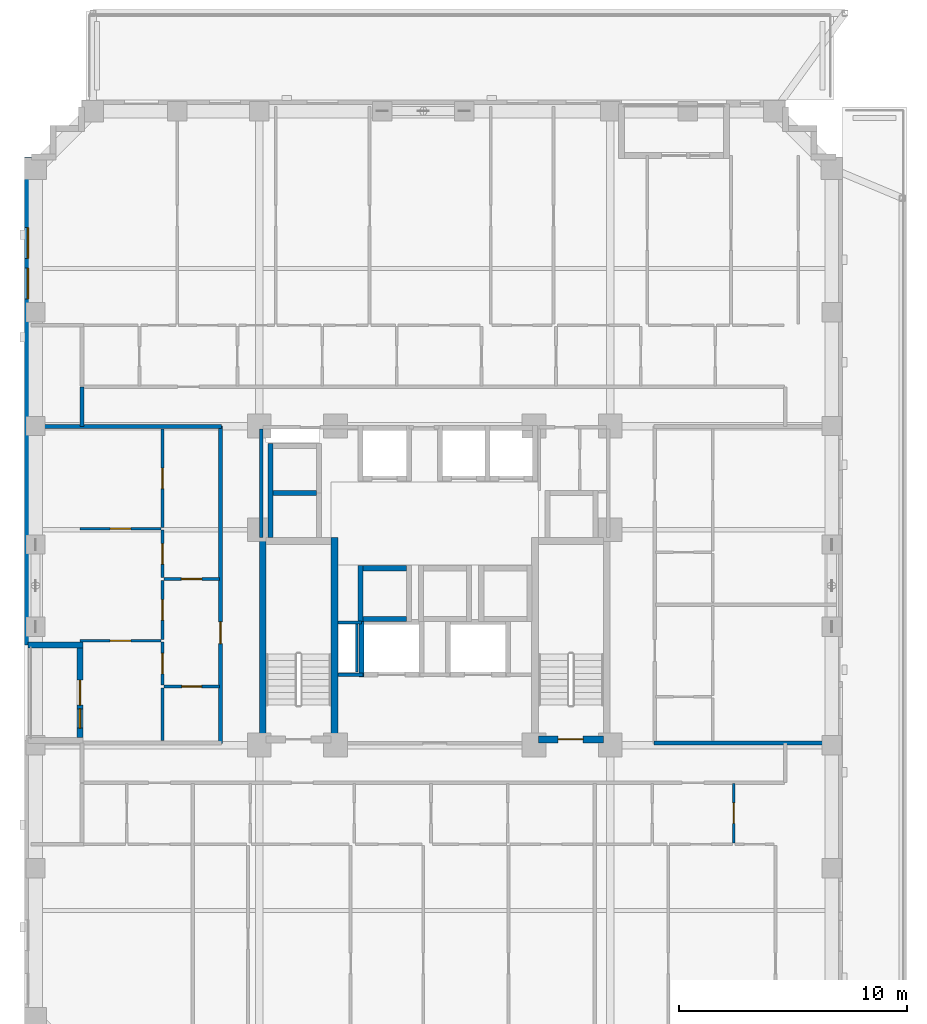
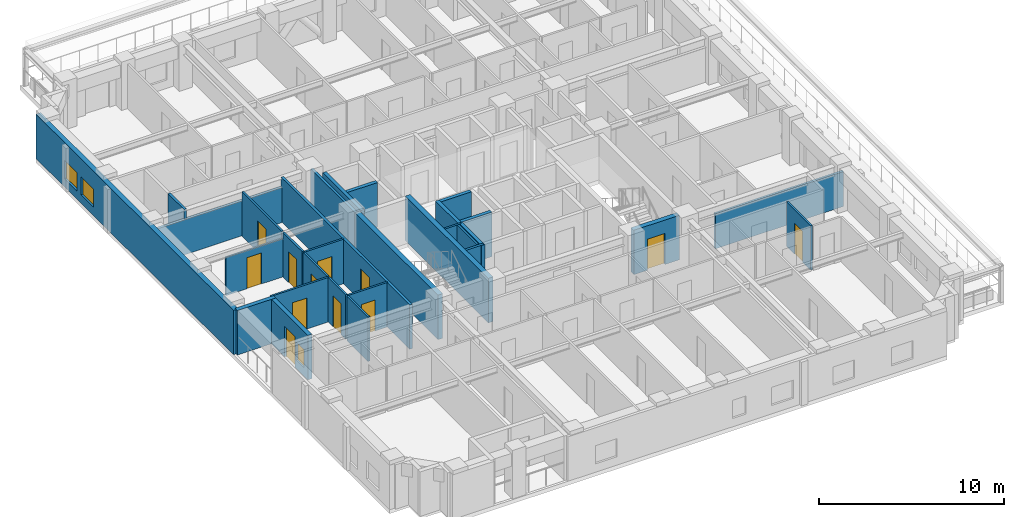
# One storey, part 8 of 16: 30 walls, 12 doors, 3 windows, 15 openings.
"""IFC4 building model written with IfcOpenShell, lengths in metres."""

import ifcopenshell
import ifcopenshell.guid

model = None  # the IFC model being written
_history = None  # IfcOwnerHistory: only IFC2X3 demands one
_inside = {}  # id of a spatial element -> (the spatial element, [elements in it])
_under = {}  # id of a project, library or spatial element -> (it, [spatial elements below it])
_declared = {}  # id of a project -> (the project, [libraries it declares])
_typed = {}  # id of a type object -> (the type object, [elements of that type])
_made_of = {}  # id of a material, layer set ... -> (it, [elements and type objects made of it])


def new_model(schema):
    """Start an empty IFC model of exactly this schema.

    Asked for "IFC4X3", IfcOpenShell would pick the latest addendum, in which some entities
    have other attributes; the version numbers below select the first issue.
    IFC2X3 requires an IfcOwnerHistory on every rooted entity: one is made here for all.
    """
    global model, _history
    if schema == "IFC4X3":
        model = ifcopenshell.file(schema_version=(4, 3, 0, 0))
    else:
        model = ifcopenshell.file(schema=schema)
    _inside.clear()
    _under.clear()
    _declared.clear()
    _typed.clear()
    _made_of.clear()
    _history = None
    if model.schema == "IFC2X3":
        org = make("IfcOrganization", Name="unknown")
        user = make(
            "IfcPersonAndOrganization",
            ThePerson=make("IfcPerson", FamilyName="unknown"),
            TheOrganization=org,
        )
        app = make(
            "IfcApplication",
            ApplicationDeveloper=org,
            Version="unknown",
            ApplicationFullName="unknown",
            ApplicationIdentifier="unknown",
        )
        _history = make(
            "IfcOwnerHistory",
            OwningUser=user,
            OwningApplication=app,
            ChangeAction="ADDED",
            CreationDate=0,
        )
    return model


def make(cls, **values):
    """One entity of the class cls with the attributes given. An attribute that is None is left unset."""
    return model.create_entity(
        cls, **{name: value for name, value in values.items() if value is not None}
    )


def rooted(cls, **values):
    """An entity with a GlobalId (a new one), such as an element, a storey or a relation."""
    return make(cls, GlobalId=ifcopenshell.guid.new(), OwnerHistory=_history, **values)


def si_unit(unit_type, name, prefix=None):
    """IfcSIUnit, for example si_unit("LENGTHUNIT", "METRE", prefix="MILLI")."""
    return make("IfcSIUnit", UnitType=unit_type, Prefix=prefix, Name=name)


def derived_unit(unit_type, elements):
    """IfcDerivedUnit: a product of units, each with its exponent."""
    return make(
        "IfcDerivedUnit",
        Elements=[
            make("IfcDerivedUnitElement", Unit=unit, Exponent=power)
            for unit, power in elements
        ],
        UnitType=unit_type,
    )


def assignment(units):
    """IfcUnitAssignment: the units of a project."""
    return None if units is None else make("IfcUnitAssignment", Units=units)


def point(xyz):
    """IfcCartesianPoint."""
    return None if xyz is None else make("IfcCartesianPoint", Coordinates=xyz)


def direction(xyz):
    """IfcDirection."""
    return None if xyz is None else make("IfcDirection", DirectionRatios=xyz)


def frame(location, z_axis=None, x_axis=None):
    """IfcAxis2Placement3D, a coordinate frame: its origin and axes. An axis left out is left unset."""
    return make(
        "IfcAxis2Placement3D",
        Location=point(location),
        Axis=direction(z_axis),
        RefDirection=direction(x_axis),
    )


def frame_2d(location, x_axis=None):
    """IfcAxis2Placement2D, a coordinate frame in the plane: its origin and x axis."""
    return make(
        "IfcAxis2Placement2D", Location=point(location), RefDirection=direction(x_axis)
    )


def origin():
    """The frame at (0, 0, 0) with its axes left unset."""
    return frame((0.0, 0.0, 0.0))


def place(relative_to, where):
    """IfcLocalPlacement: puts the frame where relative to a parent placement (None: the world)."""
    return make(
        "IfcLocalPlacement", PlacementRelTo=relative_to, RelativePlacement=where
    )


def context(
    kind, dimensions, precision=None, world=None, true_north=None, identifier=None
):
    """IfcGeometricRepresentationContext, for example the 3D "Model" context."""
    return make(
        "IfcGeometricRepresentationContext",
        ContextIdentifier=identifier,
        ContextType=kind,
        CoordinateSpaceDimension=dimensions,
        Precision=precision,
        WorldCoordinateSystem=world,
        TrueNorth=true_north,
    )


def subcontext(parent, identifier, kind, view, scale=None):
    """IfcGeometricRepresentationSubContext, for example "Body" below "Model"."""
    return make(
        "IfcGeometricRepresentationSubContext",
        ContextIdentifier=identifier,
        ContextType=kind,
        ParentContext=parent,
        TargetScale=scale,
        TargetView=view,
    )


def project(units=None, contexts=None):
    """IfcProject with its units and contexts."""
    return rooted(
        "IfcProject",
        Name="project",
        RepresentationContexts=contexts,
        UnitsInContext=assignment(units),
    )


def spatial(cls, under=None, at=None, **own):
    """A site, building, storey or space (cls), placed at a placement, below another one or the project."""
    s = rooted(cls, ObjectPlacement=at, **own)
    if under is not None:
        _under.setdefault(under.id(), (under, []))[1].append(s)
    return s


def profile(cls, at=None, kind="AREA", **sizes):
    """A parametric profile (cls). Its sizes go by their IFC names, for example OverallWidth=200.0."""
    return make(cls, ProfileType=kind, Position=at, **sizes)


def rectangle(**sizes):
    """IfcRectangleProfileDef."""
    return profile("IfcRectangleProfileDef", **sizes)


def extrude(swept, where, along, depth):
    """IfcExtrudedAreaSolid: the profile swept, set in the frame where, extruded along a direction by depth."""
    return make(
        "IfcExtrudedAreaSolid",
        SweptArea=swept,
        Position=where,
        ExtrudedDirection=direction(along),
        Depth=depth,
    )


def shape(context_of_items, identifier, shape_type, items):
    """IfcShapeRepresentation: the items that make up one representation, for example the "Body"."""
    return make(
        "IfcShapeRepresentation",
        ContextOfItems=context_of_items,
        RepresentationIdentifier=identifier,
        RepresentationType=shape_type,
        Items=items,
    )


def material(Name=None, Category=None):
    """IfcMaterial."""
    return make("IfcMaterial", Name=Name, Category=Category)


def layer(
    of_material, thickness, ventilated=None, Name=None, Category=None, Priority=None
):
    """IfcMaterialLayer: one layer of a wall or slab, of a material (None: an air gap)."""
    return make(
        "IfcMaterialLayer",
        Material=of_material,
        LayerThickness=thickness,
        IsVentilated=ventilated,
        Name=Name,
        Category=Category,
        Priority=Priority,
    )


def layer_set(layers, Name=None):
    """IfcMaterialLayerSet."""
    return make("IfcMaterialLayerSet", MaterialLayers=layers, LayerSetName=Name)


def made_of(thing, what):
    """Note that an element or type object is made of a material, layer set ...; save() writes the relation."""
    if what is not None:
        _made_of.setdefault(what.id(), (what, []))[1].append(thing)
    return thing


def type_object(cls, material=None, **own):
    """A type object (cls), such as IfcWallType, which elements share."""
    return made_of(rooted(cls, **own), material)


def element(
    cls,
    number,
    at=None,
    inside=None,
    cuts=None,
    type_object=None,
    material=None,
    context=None,
    identifier="Body",
    shape_type=None,
    held_by="IfcProductDefinitionShape",
    body=None,
    shapes=None,
    **own,
):
    """One element of the class cls, such as IfcWall. Its Tag is "e" and its number.

    at: its placement. inside: the storey or other place that contains it. cuts: it is an
    opening in that element (IfcRelVoidsElement). A single representation is given by context,
    identifier, shape_type and body (its items); several are given by shapes. held_by: the class
    of the entity that holds the representations. save() writes the other relations.
    """
    e = rooted(cls, Tag="e%d" % number, ObjectPlacement=at, **own)
    if body is not None:
        shapes = [shape(context, identifier, shape_type, body)]
    if shapes is not None:
        e.Representation = make(held_by, Representations=shapes)
    if inside is not None:
        _inside.setdefault(inside.id(), (inside, []))[1].append(e)
    if cuts is not None:
        rooted(
            "IfcRelVoidsElement", RelatingBuildingElement=cuts, RelatedOpeningElement=e
        )
    if type_object is not None:
        _typed.setdefault(type_object.id(), (type_object, []))[1].append(e)
    return made_of(e, material)


def fill(opening, filler):
    """IfcRelFillsElement: the door or window that sits in an opening."""
    return rooted(
        "IfcRelFillsElement",
        RelatingOpeningElement=opening,
        RelatedBuildingElement=filler,
    )


def aggregate(whole, parts):
    """IfcRelAggregates: a whole, such as a stair, and the parts it consists of."""
    return rooted("IfcRelAggregates", RelatingObject=whole, RelatedObjects=parts)


def save(model, path):
    """Write the relations noted so far, then the file.

    IfcRelAggregates (storeys below a building ...), IfcRelContainedInSpatialStructure (elements
    in a storey), IfcRelDefinesByType, IfcRelAssociatesMaterial and IfcRelDeclares: one each for
    every whole, place, type object, material and project.
    """
    for whole, parts in _under.values():
        aggregate(whole, parts)
    for where, things in _inside.values():
        rooted(
            "IfcRelContainedInSpatialStructure",
            RelatedElements=things,
            RelatingStructure=where,
        )
    for kind, things in _typed.values():
        rooted("IfcRelDefinesByType", RelatedObjects=things, RelatingType=kind)
    for what, things in _made_of.values():
        rooted("IfcRelAssociatesMaterial", RelatedObjects=things, RelatingMaterial=what)
    for by, libraries in _declared.values():
        rooted("IfcRelDeclares", RelatingContext=by, RelatedDefinitions=libraries)
    model.write(path)


model = new_model("IFC4")

# Units and contexts
model_context = context("Model", 3, precision=1e-05, world=origin(), true_north=direction((0.0, 1.0)))
body_context = subcontext(model_context, "Body", "Model", "MODEL_VIEW")
ifc_project = project(units=[si_unit("LENGTHUNIT", "METRE"), si_unit("AREAUNIT", "SQUARE_METRE"), si_unit("VOLUMEUNIT", "CUBIC_METRE"), si_unit("PLANEANGLEUNIT", "RADIAN"), si_unit("MASSUNIT", "GRAM", prefix="KILO"), derived_unit("THERMALTRANSMITTANCEUNIT", [(si_unit("MASSUNIT", "GRAM", prefix="KILO"), 1), (si_unit("TIMEUNIT", "SECOND"), -3), (si_unit("THERMODYNAMICTEMPERATUREUNIT", "KELVIN"), -1)])], contexts=[model_context])

# Site, building, storey
site_placement = place(None, origin())
site = spatial("IfcSite", under=ifc_project, at=site_placement, CompositionType="ELEMENT")
building_placement = place(site_placement, origin())
building = spatial("IfcBuilding", under=site, at=building_placement, Name="Korrvale Station Residences", CompositionType="ELEMENT")
storey_placement = place(building_placement, frame((0.0, 0.0, 75.10009765625)))
storey = spatial("IfcBuildingStorey", under=building, at=storey_placement, Name="L20", CompositionType="ELEMENT", Elevation=75.10009765625)

# Walls
ifc_material_1 = material(Name="Concrete C60/75", Category="concrete")
ifc_layer_1 = layer(ifc_material_1, 0.300048828125, Name="Concrete C60/75")
ifc_layer_set_1 = layer_set([ifc_layer_1], Name="Concrete C60/75")
wall_type_1 = type_object("IfcWallType", Name="WAL-CORE-300-C60", PredefinedType="SHEAR", material=ifc_layer_set_1)
for number, where, z_axis, x_axis, name in (
    (1, (17.949951171875, 15.10009765625, 0.0), (0.0, 0.0, 1.0), (0.0, 1.0, 0.0), "L20 ST-1 Core Shear Wall West"),
    (2, (21.10009765625, 15.10009765625, 0.0), (0.0, 0.0, 1.0), (0.0, 1.0, 0.0), "L20 ST-1 Core Shear Wall East"),
):
    element("IfcWall", number, at=place(storey_placement, frame(where, z_axis=z_axis, x_axis=x_axis)), inside=storey, type_object=wall_type_1, Name=name, PredefinedType="SHEAR", context=body_context, shape_type="SweptSolid", body=[
        extrude(rectangle(XDim=9.0, YDim=0.300048828125, at=frame_2d((4.5, 0.0))), origin(), (0.0, 0.0, 1.0), 2.93994140625),
    ])

# Wall, opening, door
wall_1_placement = place(storey_placement, frame((30.050048828125, 15.25, 0.0), z_axis=(0.0, 0.0, 1.0), x_axis=(1.0, 0.0, 0.0)))
wall_1 = element("IfcWall", 3, at=wall_1_placement, inside=storey, type_object=wall_type_1, Name="L20 ST-2 Core Shear Wall South", PredefinedType="SHEAR", context=body_context, shape_type="SweptSolid", body=[
    extrude(rectangle(XDim=2.849853515625, YDim=0.300048828125, at=frame_2d((1.4248046875, 0.0))), origin(), (0.0, 0.0, 1.0), 2.93994140625),
])
opening_1_placement = place(wall_1_placement, frame((0.860107421875, 0.0, 0.0)))
opening_1 = element("IfcOpeningElement", 4, at=opening_1_placement, cuts=wall_1, Name="Opening SD-1100", PredefinedType="OPENING", context=body_context, shape_type="SweptSolid", body=[
    extrude(rectangle(XDim=1.10009765625, YDim=2.050048828125, at=frame_2d((0.550048828125, 1.02490234375))), frame((0.0, 0.16015625, 0.0), z_axis=(0.0, -1.0, 0.0), x_axis=(1.0, 0.0, 0.0)), (0.0, 0.0, 1.0), 0.320068359375),
])
ifc_material_2 = material(Name="Hollow-metal fire-rated stair door with closer", Category="steel")
door_type_1 = type_object("IfcDoorType", Name="DR-STAIR-1100", OperationType="NOTDEFINED", PredefinedType="DOOR", material=ifc_material_2)
door_1_placement = place(opening_1_placement, origin())
door_1 = element("IfcDoor", 5, at=door_1_placement, inside=storey, type_object=door_type_1, Name="L20 ST-2 Exit Stair Door", OperationType="SINGLE_SWING_RIGHT", OverallHeight=2.050048828125, OverallWidth=1.10009765625, PredefinedType="DOOR", context=body_context, shape_type="SweptSolid", body=[
    extrude(rectangle(XDim=1.10009765625, YDim=2.050048828125, at=frame_2d((0.550048828125, 1.02490234375))), frame((0.0, 0.02490234375, 0.0), z_axis=(0.0, -1.0, 0.0), x_axis=(1.0, 0.0, 0.0)), (0.0, 0.0, 1.0), 0.050048828125),
])
fill(opening_1, door_1)

# Wall, openings, door, window
ifc_material_3 = material(Name="Precast concrete C45/55", Category="concrete")
ifc_layer_2 = layer(ifc_material_3, 0.260009765625, Name="Precast concrete C45/55")
ifc_layer_set_2 = layer_set([ifc_layer_2], Name="Precast concrete C45/55")
wall_type_2 = type_object("IfcWallType", Name="WAL-EXT-LOG260", PredefinedType="SOLIDWALL", material=ifc_layer_set_2)
wall_2_placement = place(storey_placement, frame((9.929931640625, 15.333984375, 0.0), z_axis=(0.0, 0.0, 1.0), x_axis=(0.0, 1.0, 0.0)))
wall_2 = element("IfcWall", 6, at=wall_2_placement, inside=storey, type_object=wall_type_2, Name="L20 Recessed Loggia Wall BAL-L20-W1-B", PredefinedType="SOLIDWALL", context=body_context, shape_type="SweptSolid", body=[
    extrude(rectangle(XDim=3.93212890625, YDim=0.260009765625, at=frame_2d((1.966064453125, 0.0))), origin(), (0.0, 0.0, 1.0), 2.93994140625),
])
opening_2_placement = place(wall_2_placement, frame((1.416015625, 0.0, 0.0)))
opening_2 = element("IfcOpeningElement", 7, at=opening_2_placement, cuts=wall_2, Name="Opening BD-01", PredefinedType="OPENING", context=body_context, shape_type="SweptSolid", body=[
    extrude(rectangle(XDim=1.10009765625, YDim=2.0, at=frame_2d((0.550048828125, 1.0))), frame((0.0, 0.14013671875, 0.0), z_axis=(0.0, -1.0, 0.0), x_axis=(1.0, 0.0, 0.0)), (0.0, 0.0, 1.0), 0.280029296875),
])
opening_3_placement = place(wall_2_placement, frame((0.406005859375, 0.0, 0.550048828125)))
opening_3 = element("IfcOpeningElement", 8, at=opening_3_placement, cuts=wall_2, Name="Opening W-11", PredefinedType="OPENING", context=body_context, shape_type="SweptSolid", body=[
    extrude(rectangle(XDim=0.85009765625, YDim=1.199951171875, at=frame_2d((0.425048828125, 0.60009765625))), frame((0.0, 0.14013671875, 0.0), z_axis=(0.0, -1.0, 0.0), x_axis=(1.0, 0.0, 0.0)), (0.0, 0.0, 1.0), 0.280029296875),
])
ifc_material_4 = material(Name="Exterior thermally broken aluminium glazed balcony door", Category="aluminium")
door_type_2 = type_object("IfcDoorType", Name="DR-EXT-BAL", OperationType="NOTDEFINED", PredefinedType="DOOR", material=ifc_material_4)
door_2_placement = place(opening_2_placement, origin())
door_2 = element("IfcDoor", 9, at=door_2_placement, inside=storey, type_object=door_type_2, Name="L20 Loggia Balcony Door BAL-L20-W1", OperationType="SINGLE_SWING_LEFT", OverallHeight=2.0, OverallWidth=1.10009765625, PredefinedType="DOOR", context=body_context, shape_type="SweptSolid", body=[
    extrude(rectangle(XDim=1.10009765625, YDim=2.0, at=frame_2d((0.550048828125, 1.0))), frame((0.0, 0.02490234375, 0.0), z_axis=(0.0, -1.0, 0.0), x_axis=(1.0, 0.0, 0.0)), (0.0, 0.0, 1.0), 0.050048828125),
])
fill(opening_2, door_2)
ifc_material_5 = material(Name="Thermally broken aluminium frame with triple low-e glazing", Category="aluminium")
window_type_1 = type_object("IfcWindowType", Name="WIN-W11", PartitioningType="SINGLE_PANEL", PredefinedType="WINDOW", material=ifc_material_5)
window_1_placement = place(opening_3_placement, origin())
window_1 = element("IfcWindow", 10, at=window_1_placement, inside=storey, type_object=window_type_1, Name="L20 Punched Window 18", OverallHeight=1.199951171875, OverallWidth=0.85009765625, PartitioningType="SINGLE_PANEL", PredefinedType="WINDOW", context=body_context, shape_type="SweptSolid", body=[
    extrude(rectangle(XDim=0.85009765625, YDim=1.199951171875, at=frame_2d((0.425048828125, 0.60009765625))), frame((0.0, 0.030029296875, 0.0), z_axis=(0.0, -1.0, 0.0), x_axis=(1.0, 0.0, 0.0)), (0.0, 0.0, 1.0), 0.06005859375),
])
fill(opening_3, window_1)

# Wall
wall_3_placement = place(storey_placement, frame((10.06005859375, 19.39990234375, 0.0), z_axis=(0.0, 0.0, 1.0), x_axis=(-1.0, 0.0, 0.0)))
element("IfcWall", 11, at=wall_3_placement, inside=storey, type_object=wall_type_2, Name="L20 Recessed Loggia Wall BAL-L20-W1-R", PredefinedType="SOLIDWALL", context=body_context, shape_type="SweptSolid", body=[
    extrude(rectangle(XDim=2.400146484375, YDim=0.260009765625, at=frame_2d((1.2001953125, 0.0))), origin(), (0.0, 0.0, 1.0), 2.93994140625),
])

# Wall, openings, windows
ifc_layer_3 = layer(ifc_material_3, 0.300048828125, Name="Precast concrete C45/55")
ifc_layer_set_3 = layer_set([ifc_layer_3], Name="Precast concrete C45/55")
wall_type_3 = type_object("IfcWallType", Name="WAL-EXT-PC300", PredefinedType="SOLIDWALL", material=ifc_layer_set_3)
wall_4_placement = place(storey_placement, frame((7.64990234375, 19.39990234375, 0.0), z_axis=(0.0, 0.0, 1.0), x_axis=(0.0, 1.0, 0.0)))
wall_4 = element("IfcWall", 12, at=wall_4_placement, inside=storey, type_object=wall_type_3, Name="L20 West Exterior Precast Wall 2", PredefinedType="SOLIDWALL", context=body_context, shape_type="SweptSolid", body=[
    extrude(rectangle(XDim=21.400146484375, YDim=0.300048828125, at=frame_2d((10.7001953125, 0.0))), origin(), (0.0, 0.0, 1.0), 2.93994140625),
])
opening_4_placement = place(wall_4_placement, frame((16.95703125, 0.0, 0.550048828125)))
opening_4 = element("IfcOpeningElement", 13, at=opening_4_placement, cuts=wall_4, Name="Opening W-10", PredefinedType="OPENING", context=body_context, shape_type="SweptSolid", body=[
    extrude(rectangle(XDim=1.35009765625, YDim=1.199951171875, at=frame_2d((0.675048828125, 0.60009765625))), frame((0.0, 0.16015625, 0.0), z_axis=(0.0, -1.0, 0.0), x_axis=(1.0, 0.0, 0.0)), (0.0, 0.0, 1.0), 0.320068359375),
])
opening_5_placement = place(wall_4_placement, frame((15.18505859375, 0.0, 0.550048828125)))
opening_5 = element("IfcOpeningElement", 14, at=opening_5_placement, cuts=wall_4, Name="Opening W-10", PredefinedType="OPENING", context=body_context, shape_type="SweptSolid", body=[
    extrude(rectangle(XDim=1.35009765625, YDim=1.199951171875, at=frame_2d((0.675048828125, 0.60009765625))), frame((0.0, 0.16015625, 0.0), z_axis=(0.0, -1.0, 0.0), x_axis=(1.0, 0.0, 0.0)), (0.0, 0.0, 1.0), 0.320068359375),
])
window_type_2 = type_object("IfcWindowType", Name="WIN-W10", PartitioningType="SINGLE_PANEL", PredefinedType="WINDOW", material=ifc_material_5)
window_2_placement = place(opening_4_placement, origin())
window_2 = element("IfcWindow", 15, at=window_2_placement, inside=storey, type_object=window_type_2, Name="L20 Punched Window 10", OverallHeight=1.199951171875, OverallWidth=1.35009765625, PartitioningType="SINGLE_PANEL", PredefinedType="WINDOW", context=body_context, shape_type="SweptSolid", body=[
    extrude(rectangle(XDim=1.35009765625, YDim=1.199951171875, at=frame_2d((0.675048828125, 0.60009765625))), frame((0.0, 0.030029296875, 0.0), z_axis=(0.0, -1.0, 0.0), x_axis=(1.0, 0.0, 0.0)), (0.0, 0.0, 1.0), 0.06005859375),
])
fill(opening_4, window_2)
window_3_placement = place(opening_5_placement, origin())
window_3 = element("IfcWindow", 16, at=window_3_placement, inside=storey, type_object=window_type_2, Name="L20 Punched Window 11", OverallHeight=1.199951171875, OverallWidth=1.35009765625, PartitioningType="SINGLE_PANEL", PredefinedType="WINDOW", context=body_context, shape_type="SweptSolid", body=[
    extrude(rectangle(XDim=1.35009765625, YDim=1.199951171875, at=frame_2d((0.675048828125, 0.60009765625))), frame((0.0, 0.030029296875, 0.0), z_axis=(0.0, -1.0, 0.0), x_axis=(1.0, 0.0, 0.0)), (0.0, 0.0, 1.0), 0.06005859375),
])
fill(opening_5, window_3)

# Walls
ifc_material_6 = material(Name="Acoustic steel-stud gypsum board partition", Category="steel")
ifc_layer_4 = layer(ifc_material_6, 0.1201171875, Name="Acoustic steel-stud gypsum board partition")
ifc_layer_set_4 = layer_set([ifc_layer_4], Name="Acoustic steel-stud gypsum board partition")
wall_type_4 = type_object("IfcWallType", Name="WAL-PART-125", PredefinedType="PARTITIONING", material=ifc_layer_set_4)
wall_5_placement = place(storey_placement, frame((22.080078125, 18.199951171875, 0.0), z_axis=(0.0, 0.0, 1.0), x_axis=(0.0, 1.0, 0.0)))
element("IfcWall", 17, at=wall_5_placement, inside=storey, type_object=wall_type_4, Name="L20 Core Partition CW-RSWT", PredefinedType="PARTITIONING", context=body_context, shape_type="SweptSolid", body=[
    extrude(rectangle(XDim=2.1201171875, YDim=0.1201171875, at=frame_2d((1.06005859375, 0.0))), origin(), (0.0, 0.0, 1.0), 2.93994140625),
])
wall_6_placement = place(storey_placement, frame((22.280029296875, 20.3798828125, 0.0), z_axis=(0.0, 0.0, 1.0), x_axis=(-1.0, 0.0, 0.0)))
element("IfcWall", 18, at=wall_6_placement, inside=storey, type_object=wall_type_4, Name="L20 Core Partition CW-RSWT-N", PredefinedType="PARTITIONING", context=body_context, shape_type="SweptSolid", body=[
    extrude(rectangle(XDim=1.02001953125, YDim=0.1201171875, at=frame_2d((0.510009765625, 0.0))), origin(), (0.0, 0.0, 1.0), 2.93994140625),
])

# Wall, opening, door
wall_7_placement = place(storey_placement, frame((38.615966796875, 10.7099609375, 0.0), z_axis=(0.0, 0.0, 1.0), x_axis=(0.0, 1.0, 0.0)))
wall_7 = element("IfcWall", 19, at=wall_7_placement, inside=storey, type_object=wall_type_4, Name="L20 Suite Partition U03-V12", PredefinedType="PARTITIONING", context=body_context, shape_type="SweptSolid", body=[
    extrude(rectangle(XDim=2.60009765625, YDim=0.1201171875, at=frame_2d((1.300048828125, 0.0))), origin(), (0.0, 0.0, 1.0), 2.93994140625),
])
opening_6_placement = place(wall_7_placement, frame((0.85009765625, 0.0, 0.0)))
opening_6 = element("IfcOpeningElement", 20, at=opening_6_placement, cuts=wall_7, Name="Opening DI-900", PredefinedType="OPENING", context=body_context, shape_type="SweptSolid", body=[
    extrude(rectangle(XDim=0.89990234375, YDim=2.050048828125, at=frame_2d((0.449951171875, 1.02490234375))), frame((0.0, 0.070068359375, 0.0), z_axis=(0.0, -1.0, 0.0), x_axis=(1.0, 0.0, 0.0)), (0.0, 0.0, 1.0), 0.14013671875),
])
ifc_material_7 = material(Name="Painted solid-core timber interior room door", Category="wood")
door_type_3 = type_object("IfcDoorType", Name="DR-INT-900", OperationType="NOTDEFINED", PredefinedType="DOOR", material=ifc_material_7)
door_3_placement = place(opening_6_placement, origin())
door_3 = element("IfcDoor", 21, at=door_3_placement, inside=storey, type_object=door_type_3, Name="L20 Studio Apartment L20-U03 Kitchen Door", OperationType="SINGLE_SWING_LEFT", OverallHeight=2.050048828125, OverallWidth=0.89990234375, PredefinedType="DOOR", context=body_context, shape_type="SweptSolid", body=[
    extrude(rectangle(XDim=0.89990234375, YDim=2.050048828125, at=frame_2d((0.449951171875, 1.02490234375))), frame((0.0, 0.02490234375, 0.0), z_axis=(0.0, -1.0, 0.0), x_axis=(1.0, 0.0, 0.0)), (0.0, 0.0, 1.0), 0.050048828125),
])
fill(opening_6, door_3)

wall_8_placement = place(storey_placement, frame((13.610107421875, 22.2900390625, 0.0), z_axis=(0.0, 0.0, 1.0), x_axis=(1.0, 0.0, 0.0)))
wall_8 = element("IfcWall", 22, at=wall_8_placement, inside=storey, type_object=wall_type_4, Name="L20 Suite Partition U05-H02", PredefinedType="PARTITIONING", context=body_context, shape_type="SweptSolid", body=[
    extrude(rectangle(XDim=2.449951171875, YDim=0.1201171875, at=frame_2d((1.22509765625, 0.0))), origin(), (0.0, 0.0, 1.0), 2.93994140625),
])
opening_7_placement = place(wall_8_placement, frame((0.77490234375, 0.0, 0.0)))
opening_7 = element("IfcOpeningElement", 23, at=opening_7_placement, cuts=wall_8, Name="Opening DI-900", PredefinedType="OPENING", context=body_context, shape_type="SweptSolid", body=[
    extrude(rectangle(XDim=0.89990234375, YDim=2.050048828125, at=frame_2d((0.449951171875, 1.02490234375))), frame((0.0, 0.070068359375, 0.0), z_axis=(0.0, -1.0, 0.0), x_axis=(1.0, 0.0, 0.0)), (0.0, 0.0, 1.0), 0.14013671875),
])
door_4_placement = place(opening_7_placement, origin())
door_4 = element("IfcDoor", 24, at=door_4_placement, inside=storey, type_object=door_type_3, Name="L20 Apartment 2BR L20-U05 Wardrobe Storage Room Door", OperationType="SINGLE_SWING_RIGHT", OverallHeight=2.050048828125, OverallWidth=0.89990234375, PredefinedType="DOOR", context=body_context, shape_type="SweptSolid", body=[
    extrude(rectangle(XDim=0.89990234375, YDim=2.050048828125, at=frame_2d((0.449951171875, 1.02490234375))), frame((0.0, 0.02490234375, 0.0), z_axis=(0.0, -1.0, 0.0), x_axis=(1.0, 0.0, 0.0)), (0.0, 0.0, 1.0), 0.050048828125),
])
fill(opening_7, door_4)

wall_9_placement = place(storey_placement, frame((13.550048828125, 22.35009765625, 0.0), z_axis=(0.0, 0.0, 1.0), x_axis=(0.0, 1.0, 0.0)))
wall_9 = element("IfcWall", 25, at=wall_9_placement, inside=storey, type_object=wall_type_4, Name="L20 Suite Partition U05-V04", PredefinedType="PARTITIONING", context=body_context, shape_type="SweptSolid", body=[
    extrude(rectangle(XDim=2.081787109375, YDim=0.1201171875, at=frame_2d((1.041015625, 0.0))), origin(), (0.0, 0.0, 1.0), 2.93994140625),
])
opening_8_placement = place(wall_9_placement, frame((0.591064453125, 0.0, 0.0)))
opening_8 = element("IfcOpeningElement", 26, at=opening_8_placement, cuts=wall_9, Name="Opening DI-900", PredefinedType="OPENING", context=body_context, shape_type="SweptSolid", body=[
    extrude(rectangle(XDim=0.89990234375, YDim=2.050048828125, at=frame_2d((0.449951171875, 1.02490234375))), frame((0.0, 0.070068359375, 0.0), z_axis=(0.0, -1.0, 0.0), x_axis=(1.0, 0.0, 0.0)), (0.0, 0.0, 1.0), 0.14013671875),
])
door_5_placement = place(opening_8_placement, origin())
door_5 = element("IfcDoor", 27, at=door_5_placement, inside=storey, type_object=door_type_3, Name="L20 Apartment 2BR L20-U05 Wardrobe Storage Room Door", OperationType="SINGLE_SWING_LEFT", OverallHeight=2.050048828125, OverallWidth=0.89990234375, PredefinedType="DOOR", context=body_context, shape_type="SweptSolid", body=[
    extrude(rectangle(XDim=0.89990234375, YDim=2.050048828125, at=frame_2d((0.449951171875, 1.02490234375))), frame((0.0, 0.02490234375, 0.0), z_axis=(0.0, -1.0, 0.0), x_axis=(1.0, 0.0, 0.0)), (0.0, 0.0, 1.0), 0.050048828125),
])
fill(opening_8, door_5)

wall_10_placement = place(storey_placement, frame((13.550048828125, 24.552001953125, 0.0), z_axis=(0.0, 0.0, 1.0), x_axis=(0.0, 1.0, 0.0)))
wall_10 = element("IfcWall", 28, at=wall_10_placement, inside=storey, type_object=wall_type_4, Name="L20 Suite Partition U05-V05", PredefinedType="PARTITIONING", context=body_context, shape_type="SweptSolid", body=[
    extrude(rectangle(XDim=4.30810546875, YDim=0.1201171875, at=frame_2d((2.154052734375, 0.0))), origin(), (0.0, 0.0, 1.0), 2.93994140625),
])
opening_9_placement = place(wall_10_placement, frame((1.7041015625, 0.0, 0.0)))
opening_9 = element("IfcOpeningElement", 29, at=opening_9_placement, cuts=wall_10, Name="Opening DI-900", PredefinedType="OPENING", context=body_context, shape_type="SweptSolid", body=[
    extrude(rectangle(XDim=0.89990234375, YDim=2.050048828125, at=frame_2d((0.449951171875, 1.02490234375))), frame((0.0, 0.070068359375, 0.0), z_axis=(0.0, -1.0, 0.0), x_axis=(1.0, 0.0, 0.0)), (0.0, 0.0, 1.0), 0.14013671875),
])
door_6_placement = place(opening_9_placement, origin())
door_6 = element("IfcDoor", 30, at=door_6_placement, inside=storey, type_object=door_type_3, Name="L20 Apartment 2BR L20-U05 Wardrobe Storage Room Door", OperationType="SINGLE_SWING_RIGHT", OverallHeight=2.050048828125, OverallWidth=0.89990234375, PredefinedType="DOOR", context=body_context, shape_type="SweptSolid", body=[
    extrude(rectangle(XDim=0.89990234375, YDim=2.050048828125, at=frame_2d((0.449951171875, 1.02490234375))), frame((0.0, 0.02490234375, 0.0), z_axis=(0.0, -1.0, 0.0), x_axis=(1.0, 0.0, 0.0)), (0.0, 0.0, 1.0), 0.050048828125),
])
fill(opening_9, door_6)

wall_11_placement = place(storey_placement, frame((13.610107421875, 17.570068359375, 0.0), z_axis=(0.0, 0.0, 1.0), x_axis=(1.0, 0.0, 0.0)))
wall_11 = element("IfcWall", 31, at=wall_11_placement, inside=storey, type_object=wall_type_4, Name="L20 Suite Partition U05-H12", PredefinedType="PARTITIONING", context=body_context, shape_type="SweptSolid", body=[
    extrude(rectangle(XDim=2.449951171875, YDim=0.1201171875, at=frame_2d((1.22509765625, 0.0))), origin(), (0.0, 0.0, 1.0), 2.93994140625),
])
opening_10_placement = place(wall_11_placement, frame((0.794921875, 0.0, 0.0)))
opening_10 = element("IfcOpeningElement", 32, at=opening_10_placement, cuts=wall_11, Name="Opening DB-860", PredefinedType="OPENING", context=body_context, shape_type="SweptSolid", body=[
    extrude(rectangle(XDim=0.860107421875, YDim=2.050048828125, at=frame_2d((0.43017578125, 1.02490234375))), frame((0.0, 0.070068359375, 0.0), z_axis=(0.0, -1.0, 0.0), x_axis=(1.0, 0.0, 0.0)), (0.0, 0.0, 1.0), 0.14013671875),
])
ifc_material_8 = material(Name="Moisture-resistant solid-core bathroom door", Category="timber")
door_type_4 = type_object("IfcDoorType", Name="DR-BATH-860", OperationType="NOTDEFINED", PredefinedType="DOOR", material=ifc_material_8)
door_7_placement = place(opening_10_placement, origin())
door_7 = element("IfcDoor", 33, at=door_7_placement, inside=storey, type_object=door_type_4, Name="L20 Apartment 2BR L20-U05 Bathroom Door", OperationType="SINGLE_SWING_LEFT", OverallHeight=2.050048828125, OverallWidth=0.860107421875, PredefinedType="DOOR", context=body_context, shape_type="SweptSolid", body=[
    extrude(rectangle(XDim=0.860107421875, YDim=2.050048828125, at=frame_2d((0.43017578125, 1.02490234375))), frame((0.0, 0.02490234375, 0.0), z_axis=(0.0, -1.0, 0.0), x_axis=(1.0, 0.0, 0.0)), (0.0, 0.0, 1.0), 0.050048828125),
])
fill(opening_10, door_7)

# Wall
wall_12_placement = place(storey_placement, frame((13.550048828125, 15.2099609375, 0.0), z_axis=(0.0, 0.0, 1.0), x_axis=(0.0, 1.0, 0.0)))
element("IfcWall", 34, at=wall_12_placement, inside=storey, type_object=wall_type_4, Name="L20 Suite Partition U05-V13", PredefinedType="PARTITIONING", context=body_context, shape_type="SweptSolid", body=[
    extrude(rectangle(XDim=2.300048828125, YDim=0.1201171875, at=frame_2d((1.14990234375, 0.0))), origin(), (0.0, 0.0, 1.0), 2.93994140625),
])

# Wall, opening, door
wall_13_placement = place(storey_placement, frame((13.550048828125, 17.6298828125, 0.0), z_axis=(0.0, 0.0, 1.0), x_axis=(0.0, 1.0, 0.0)))
wall_13 = element("IfcWall", 35, at=wall_13_placement, inside=storey, type_object=wall_type_4, Name="L20 Suite Partition U05-V23", PredefinedType="PARTITIONING", context=body_context, shape_type="SweptSolid", body=[
    extrude(rectangle(XDim=1.88818359375, YDim=0.1201171875, at=frame_2d((0.944091796875, 0.0))), origin(), (0.0, 0.0, 1.0), 2.93994140625),
])
opening_11_placement = place(wall_13_placement, frame((0.493896484375, 0.0, 0.0)))
opening_11 = element("IfcOpeningElement", 36, at=opening_11_placement, cuts=wall_13, Name="Opening DI-900", PredefinedType="OPENING", context=body_context, shape_type="SweptSolid", body=[
    extrude(rectangle(XDim=0.89990234375, YDim=2.050048828125, at=frame_2d((0.449951171875, 1.02490234375))), frame((0.0, 0.070068359375, 0.0), z_axis=(0.0, -1.0, 0.0), x_axis=(1.0, 0.0, 0.0)), (0.0, 0.0, 1.0), 0.14013671875),
])
door_8_placement = place(opening_11_placement, origin())
door_8 = element("IfcDoor", 37, at=door_8_placement, inside=storey, type_object=door_type_3, Name="L20 Apartment 2BR L20-U05 Kitchen Door", OperationType="SINGLE_SWING_RIGHT", OverallHeight=2.050048828125, OverallWidth=0.89990234375, PredefinedType="DOOR", context=body_context, shape_type="SweptSolid", body=[
    extrude(rectangle(XDim=0.89990234375, YDim=2.050048828125, at=frame_2d((0.449951171875, 1.02490234375))), frame((0.0, 0.02490234375, 0.0), z_axis=(0.0, -1.0, 0.0), x_axis=(1.0, 0.0, 0.0)), (0.0, 0.0, 1.0), 0.050048828125),
])
fill(opening_11, door_8)

wall_14_placement = place(storey_placement, frame((13.550048828125, 19.637939453125, 0.0), z_axis=(0.0, 0.0, 1.0), x_axis=(0.0, 1.0, 0.0)))
wall_14 = element("IfcWall", 38, at=wall_14_placement, inside=storey, type_object=wall_type_4, Name="L20 Suite Partition U05-V24", PredefinedType="PARTITIONING", context=body_context, shape_type="SweptSolid", body=[
    extrude(rectangle(XDim=2.592041015625, YDim=0.1201171875, at=frame_2d((1.2958984375, 0.0))), origin(), (0.0, 0.0, 1.0), 2.93994140625),
])
opening_12_placement = place(wall_14_placement, frame((0.845947265625, 0.0, 0.0)))
opening_12 = element("IfcOpeningElement", 39, at=opening_12_placement, cuts=wall_14, Name="Opening DI-900", PredefinedType="OPENING", context=body_context, shape_type="SweptSolid", body=[
    extrude(rectangle(XDim=0.89990234375, YDim=2.050048828125, at=frame_2d((0.449951171875, 1.02490234375))), frame((0.0, 0.070068359375, 0.0), z_axis=(0.0, -1.0, 0.0), x_axis=(1.0, 0.0, 0.0)), (0.0, 0.0, 1.0), 0.14013671875),
])
door_9_placement = place(opening_12_placement, origin())
door_9 = element("IfcDoor", 40, at=door_9_placement, inside=storey, type_object=door_type_3, Name="L20 Apartment 2BR L20-U05 Kitchen Door", OperationType="SINGLE_SWING_LEFT", OverallHeight=2.050048828125, OverallWidth=0.89990234375, PredefinedType="DOOR", context=body_context, shape_type="SweptSolid", body=[
    extrude(rectangle(XDim=0.89990234375, YDim=2.050048828125, at=frame_2d((0.449951171875, 1.02490234375))), frame((0.0, 0.02490234375, 0.0), z_axis=(0.0, -1.0, 0.0), x_axis=(1.0, 0.0, 0.0)), (0.0, 0.0, 1.0), 0.050048828125),
])
fill(opening_12, door_9)

wall_15_placement = place(storey_placement, frame((9.929931640625, 19.577880859375, 0.0), z_axis=(0.0, 0.0, 1.0), x_axis=(1.0, 0.0, 0.0)))
wall_15 = element("IfcWall", 41, at=wall_15_placement, inside=storey, type_object=wall_type_4, Name="L20 Suite Partition U05-H34", PredefinedType="PARTITIONING", context=body_context, shape_type="SweptSolid", body=[
    extrude(rectangle(XDim=3.56005859375, YDim=0.1201171875, at=frame_2d((1.780029296875, 0.0))), origin(), (0.0, 0.0, 1.0), 2.93994140625),
])
opening_13_placement = place(wall_15_placement, frame((1.330078125, 0.0, 0.0)))
opening_13 = element("IfcOpeningElement", 42, at=opening_13_placement, cuts=wall_15, Name="Opening DI-900", PredefinedType="OPENING", context=body_context, shape_type="SweptSolid", body=[
    extrude(rectangle(XDim=0.89990234375, YDim=2.050048828125, at=frame_2d((0.449951171875, 1.02490234375))), frame((0.0, 0.070068359375, 0.0), z_axis=(0.0, -1.0, 0.0), x_axis=(1.0, 0.0, 0.0)), (0.0, 0.0, 1.0), 0.14013671875),
])
door_10_placement = place(opening_13_placement, origin())
door_10 = element("IfcDoor", 43, at=door_10_placement, inside=storey, type_object=door_type_3, Name="L20 Apartment 2BR L20-U05 Bedroom 1 Door", OperationType="SINGLE_SWING_RIGHT", OverallHeight=2.050048828125, OverallWidth=0.89990234375, PredefinedType="DOOR", context=body_context, shape_type="SweptSolid", body=[
    extrude(rectangle(XDim=0.89990234375, YDim=2.050048828125, at=frame_2d((0.449951171875, 1.02490234375))), frame((0.0, 0.02490234375, 0.0), z_axis=(0.0, -1.0, 0.0), x_axis=(1.0, 0.0, 0.0)), (0.0, 0.0, 1.0), 0.050048828125),
])
fill(opening_13, door_10)

wall_16_placement = place(storey_placement, frame((9.929931640625, 24.491943359375, 0.0), z_axis=(0.0, 0.0, 1.0), x_axis=(1.0, 0.0, 0.0)))
wall_16 = element("IfcWall", 44, at=wall_16_placement, inside=storey, type_object=wall_type_4, Name="L20 Suite Partition U05-H45", PredefinedType="PARTITIONING", context=body_context, shape_type="SweptSolid", body=[
    extrude(rectangle(XDim=3.56005859375, YDim=0.1201171875, at=frame_2d((1.780029296875, 0.0))), origin(), (0.0, 0.0, 1.0), 2.517822265625),
])
opening_14_placement = place(wall_16_placement, frame((1.330078125, 0.0, 0.0)))
opening_14 = element("IfcOpeningElement", 45, at=opening_14_placement, cuts=wall_16, Name="Opening DI-900", PredefinedType="OPENING", context=body_context, shape_type="SweptSolid", body=[
    extrude(rectangle(XDim=0.89990234375, YDim=2.050048828125, at=frame_2d((0.449951171875, 1.02490234375))), frame((0.0, 0.070068359375, 0.0), z_axis=(0.0, -1.0, 0.0), x_axis=(1.0, 0.0, 0.0)), (0.0, 0.0, 1.0), 0.14013671875),
])
door_11_placement = place(opening_14_placement, origin())
door_11 = element("IfcDoor", 46, at=door_11_placement, inside=storey, type_object=door_type_3, Name="L20 Apartment 2BR L20-U05 Living and Dining Room Door", OperationType="SINGLE_SWING_LEFT", OverallHeight=2.050048828125, OverallWidth=0.89990234375, PredefinedType="DOOR", context=body_context, shape_type="SweptSolid", body=[
    extrude(rectangle(XDim=0.89990234375, YDim=2.050048828125, at=frame_2d((0.449951171875, 1.02490234375))), frame((0.0, 0.02490234375, 0.0), z_axis=(0.0, -1.0, 0.0), x_axis=(1.0, 0.0, 0.0)), (0.0, 0.0, 1.0), 0.050048828125),
])
fill(opening_14, door_11)

# Walls
ifc_material_9 = material(Name="Fire-rated twin-stud gypsum and mineral wool shaftwall assembly", Category="gypsum")
ifc_layer_5 = layer(ifc_material_9, 0.159912109375, Name="Fire-rated twin-stud gypsum and mineral wool shaftwall assembly")
ifc_layer_set_5 = layer_set([ifc_layer_5], Name="Fire-rated twin-stud gypsum and mineral wool shaftwall assembly")
wall_type_5 = type_object("IfcWallType", Name="WAL-PART-200", PredefinedType="PARTITIONING", material=ifc_layer_set_5)
wall_17_placement = place(storey_placement, frame((21.25, 18.080078125, 0.0), z_axis=(0.0, 0.0, 1.0), x_axis=(1.0, 0.0, 0.0)))
element("IfcWall", 47, at=wall_17_placement, inside=storey, type_object=wall_type_5, Name="L20 Core Partition CW-FFL-N1", PredefinedType="PARTITIONING", context=body_context, shape_type="SweptSolid", body=[
    extrude(rectangle(XDim=1.10009765625, YDim=0.159912109375, at=frame_2d((0.550048828125, 0.0))), origin(), (0.0, 0.0, 1.0), 2.93994140625),
])
wall_18_placement = place(storey_placement, frame((17.8798828125, 24.1201171875, 0.0), z_axis=(0.0, 0.0, 1.0), x_axis=(0.0, 1.0, 0.0)))
element("IfcWall", 48, at=wall_18_placement, inside=storey, type_object=wall_type_5, Name="L20 Core Partition CW-W-N", PredefinedType="PARTITIONING", context=body_context, shape_type="SweptSolid", body=[
    extrude(rectangle(XDim=4.759765625, YDim=0.159912109375, at=frame_2d((2.3798828125, 0.0))), origin(), (0.0, 0.0, 1.0), 2.93994140625),
])
wall_19_placement = place(storey_placement, frame((10.02001953125, 28.97998046875, 0.0), z_axis=(0.0, 0.0, 1.0), x_axis=(0.0, 1.0, 0.0)))
element("IfcWall", 49, at=wall_19_placement, inside=storey, type_object=wall_type_5, Name="L20 Corridor North West Cap", PredefinedType="PARTITIONING", context=body_context, shape_type="SweptSolid", body=[
    extrude(rectangle(XDim=1.739990234375, YDim=0.159912109375, at=frame_2d((0.8701171875, 0.0))), origin(), (0.0, 0.0, 1.0), 2.93994140625),
])
wall_20_placement = place(storey_placement, frame((7.780029296875, 28.97998046875, 0.0), z_axis=(0.0, 0.0, 1.0), x_axis=(1.0, 0.0, 0.0)))
element("IfcWall", 50, at=wall_20_placement, inside=storey, type_object=wall_type_5, Name="L20 West Wing North Corridor Wall", PredefinedType="PARTITIONING", context=body_context, shape_type="SweptSolid", body=[
    extrude(rectangle(XDim=8.35986328125, YDim=0.159912109375, at=frame_2d((4.179931640625, 0.0))), origin(), (0.0, 0.0, 1.0), 2.308837890625),
])
wall_21_placement = place(storey_placement, frame((35.110107421875, 15.090087890625, 0.0), z_axis=(0.0, 0.0, 1.0), x_axis=(1.0, 0.0, 0.0)))
element("IfcWall", 51, at=wall_21_placement, inside=storey, type_object=wall_type_5, Name="L20 East Wing South Corridor Wall", PredefinedType="PARTITIONING", context=body_context, shape_type="SweptSolid", body=[
    extrude(rectangle(XDim=8.010009765625, YDim=0.159912109375, at=frame_2d((4.0048828125, 0.0))), origin(), (0.0, 0.0, 1.0), 2.308837890625),
])

# Wall, opening, door
wall_22_placement = place(storey_placement, frame((16.10009765625, 15.070068359375, 0.0), z_axis=(0.0, 0.0, 1.0), x_axis=(0.0, 1.0, 0.0)))
wall_22 = element("IfcWall", 52, at=wall_22_placement, inside=storey, type_object=wall_type_5, Name="L20 Rated Corridor Wall W", PredefinedType="PARTITIONING", context=body_context, shape_type="SweptSolid", body=[
    extrude(rectangle(XDim=13.929931640625, YDim=0.159912109375, at=frame_2d((6.96484375, 0.0))), origin(), (0.0, 0.0, 1.0), 2.93994140625),
])
opening_15_placement = place(wall_22_placement, frame((4.385009765625, 0.0, 0.0)))
opening_15 = element("IfcOpeningElement", 53, at=opening_15_placement, cuts=wall_22, Name="Opening UD-950", PredefinedType="OPENING", context=body_context, shape_type="SweptSolid", body=[
    extrude(rectangle(XDim=0.949951171875, YDim=2.10009765625, at=frame_2d((0.47509765625, 1.050048828125))), frame((0.0, 0.08984375, 0.0), z_axis=(0.0, -1.0, 0.0), x_axis=(1.0, 0.0, 0.0)), (0.0, 0.0, 1.0), 0.179931640625),
])
ifc_material_10 = material(Name="Solid-core acoustic oak apartment entrance door", Category="timber")
door_type_5 = type_object("IfcDoorType", Name="DR-UNIT-950", OperationType="NOTDEFINED", PredefinedType="DOOR", material=ifc_material_10)
door_12_placement = place(opening_15_placement, origin())
door_12 = element("IfcDoor", 54, at=door_12_placement, inside=storey, type_object=door_type_5, Name="L20 Apartment L20-U05 Entrance Door", OperationType="SINGLE_SWING_RIGHT", OverallHeight=2.10009765625, OverallWidth=0.949951171875, PredefinedType="DOOR", context=body_context, shape_type="SweptSolid", body=[
    extrude(rectangle(XDim=0.949951171875, YDim=2.10009765625, at=frame_2d((0.47509765625, 1.050048828125))), frame((0.0, 0.02490234375, 0.0), z_axis=(0.0, -1.0, 0.0), x_axis=(1.0, 0.0, 0.0)), (0.0, 0.0, 1.0), 0.050048828125),
])
fill(opening_15, door_12)

# Walls
ifc_layer_6 = layer(ifc_material_1, 0.219970703125, Name="Concrete C60/75")
ifc_layer_set_6 = layer_set([ifc_layer_6], Name="Concrete C60/75")
wall_type_6 = type_object("IfcWallType", Name="WAL-SHAFT-220-C60", PredefinedType="SHEAR", material=ifc_layer_set_6)
for number, where, z_axis, x_axis, name in (
    (55, (22.35009765625, 20.5400390625, 0.0), (0.0, 0.0, 1.0), (1.0, 0.0, 0.0), "L20 Elevator PM-1 Hoistway Wall South"),
    (56, (22.35009765625, 22.760009765625, 0.0), (0.0, 0.0, 1.0), (1.0, 0.0, 0.0), "L20 Elevator PM-1 Hoistway Wall North"),
):
    element("IfcWall", number, at=place(storey_placement, frame(where, z_axis=z_axis, x_axis=x_axis)), inside=storey, type_object=wall_type_6, Name=name, PredefinedType="SHEAR", context=body_context, shape_type="SweptSolid", body=[
        extrude(rectangle(XDim=1.89990234375, YDim=0.219970703125, at=frame_2d((0.949951171875, 0.0))), origin(), (0.0, 0.0, 1.0), 2.93994140625),
    ])
wall_23_placement = place(storey_placement, frame((22.239990234375, 20.429931640625, 0.0), z_axis=(0.0, 0.0, 1.0), x_axis=(0.0, 1.0, 0.0)))
element("IfcWall", 57, at=wall_23_placement, inside=storey, type_object=wall_type_6, Name="L20 Elevator PM-1 Hoistway Wall West", PredefinedType="SHEAR", context=body_context, shape_type="SweptSolid", body=[
    extrude(rectangle(XDim=2.440185546875, YDim=0.219970703125, at=frame_2d((1.22021484375, 0.0))), origin(), (0.0, 0.0, 1.0), 2.93994140625),
])
wall_24_placement = place(storey_placement, frame((18.2900390625, 24.10009765625, 0.0), z_axis=(0.0, 0.0, 1.0), x_axis=(0.0, 1.0, 0.0)))
element("IfcWall", 58, at=wall_24_placement, inside=storey, type_object=wall_type_6, Name="L20 Elevator PH-1 Hoistway Wall West", PredefinedType="SHEAR", context=body_context, shape_type="SweptSolid", body=[
    extrude(rectangle(XDim=4.139892578125, YDim=0.219970703125, at=frame_2d((2.06982421875, 0.0))), origin(), (0.0, 0.0, 1.0), 2.93994140625),
])
wall_25_placement = place(storey_placement, frame((18.39990234375, 26.06005859375, 0.0), z_axis=(0.0, 0.0, 1.0), x_axis=(1.0, 0.0, 0.0)))
element("IfcWall", 59, at=wall_25_placement, inside=storey, type_object=wall_type_6, Name="L20 Elevator PH-2 Hoistway Wall South", PredefinedType="SHEAR", context=body_context, shape_type="SweptSolid", body=[
    extrude(rectangle(XDim=1.900146484375, YDim=0.219970703125, at=frame_2d((0.9501953125, 0.0))), origin(), (0.0, 0.0, 1.0), 2.93994140625),
])
wall_26_placement = place(storey_placement, frame((22.2900390625, 17.97998046875, 0.0), z_axis=(0.0, 0.0, 1.0), x_axis=(0.0, 1.0, 0.0)))
element("IfcWall", 60, at=wall_26_placement, inside=storey, type_object=wall_type_6, Name="L20 Elevator FFL-1 Hoistway Wall West", PredefinedType="SHEAR", context=body_context, shape_type="SweptSolid", body=[
    extrude(rectangle(XDim=2.5400390625, YDim=0.219970703125, at=frame_2d((1.27001953125, 0.0))), origin(), (0.0, 0.0, 1.0), 2.93994140625),
])

save(model, "model.ifc")
